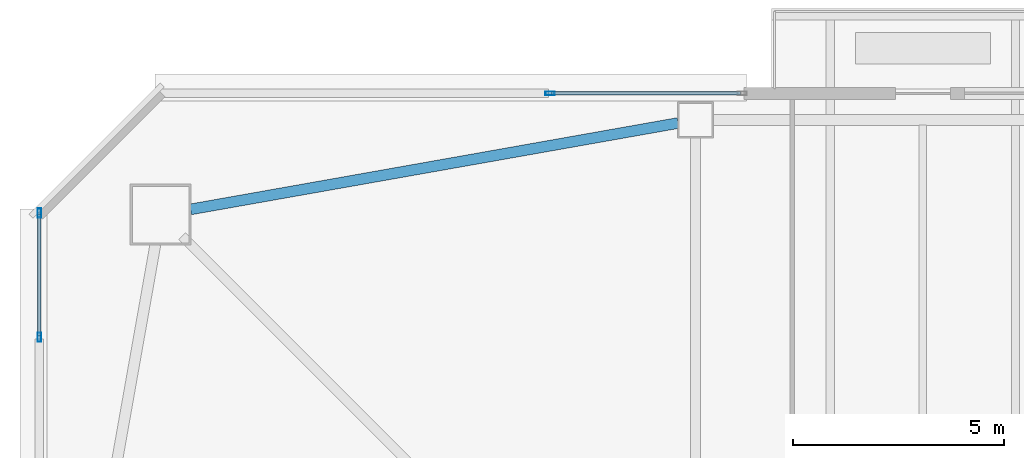
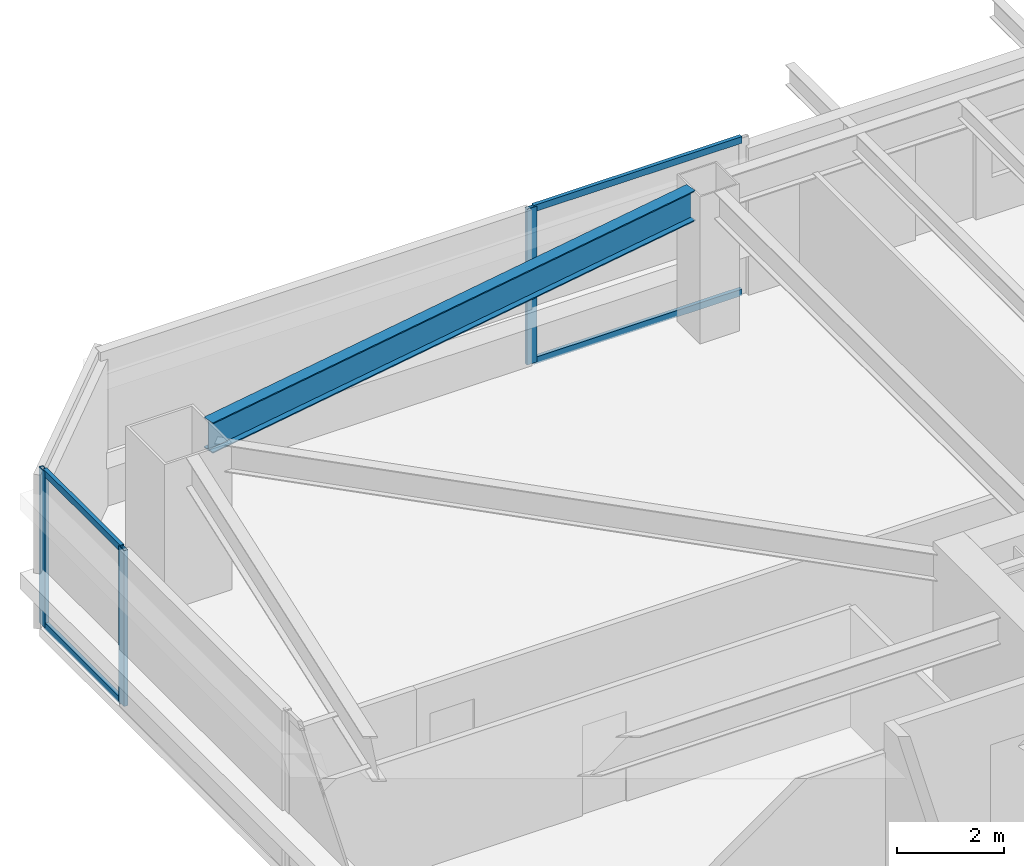
# One storey, part 14 of 48: 7 members, 1 beam, 2 elements without a shape of their own.
"""IFC4 building model written with IfcOpenShell, lengths in metres."""

from ifc_helpers import new_model, si_unit, direction, frame, origin, origin_2d, place, context, subcontext, project, spatial, hollow_rectangle, i_section, extrude, material, material_profile, profile_set, type_object, element, aggregate, save


model = new_model("IFC4")

# Units and contexts
model_context = context("Model", 3, precision=1e-05, world=origin(), true_north=direction((0.0, 1.0)))
body_context = subcontext(model_context, "Body", "Model", "MODEL_VIEW")
ifc_project = project(units=[si_unit("LENGTHUNIT", "METRE"), si_unit("AREAUNIT", "SQUARE_METRE"), si_unit("VOLUMEUNIT", "CUBIC_METRE"), si_unit("PLANEANGLEUNIT", "RADIAN"), si_unit("MASSUNIT", "GRAM", prefix="KILO")], contexts=[model_context])

# Site, building, storey
site_placement = place(None, origin())
site = spatial("IfcSite", under=ifc_project, at=site_placement, CompositionType="ELEMENT")
building_placement = place(site_placement, origin())
building = spatial("IfcBuilding", under=site, at=building_placement, Name="Tashvorn Skyway Center", CompositionType="ELEMENT")
storey_placement = place(building_placement, frame((0.0, 0.0, 77.85009765625)))
storey = spatial("IfcBuildingStorey", under=building, at=storey_placement, Name="L20", CompositionType="ELEMENT", Elevation=77.85009765625)

# Beam
ifc_material_1 = material(Name="Steel ASTM A992 Grade 50", Category="steel")
ifc_material_profile_1 = material_profile(ifc_material_1, i_section(OverallWidth=0.256103515625, OverallDepth=0.693115234375, WebThickness=0.014404296875, FlangeThickness=0.023681640625, at=origin_2d()), Name="W27X114")
ifc_profile_set_1 = profile_set([ifc_material_profile_1], Name="Steel ASTM A992 Grade 50")
beam_type = type_object("IfcBeamType", Name="BM-SPANDREL-W27X114", PredefinedType="SPANDREL", material=ifc_profile_set_1)
beam_placement = place(storey_placement, frame((36.1865234375, 52.276611328125, 3.00341796875), z_axis=(-0.98466816531, -0.174437966698, 0.0), x_axis=(0.174437966698, -0.98466816531, 0.0)))
element("IfcBeam", 1, at=beam_placement, inside=storey, type_object=beam_type, Name="Tower 1 L20 Spandrel Beam 09", PredefinedType="SPANDREL", context=body_context, shape_type="SweptSolid", body=[
    extrude(i_section(OverallWidth=0.256103515625, OverallDepth=0.693115234375, WebThickness=0.014404296875, FlangeThickness=0.023681640625, at=origin_2d()), origin(), (0.0, 0.0, 1.0), 11.7578125),
])

# Curtain wall, members
ifc_material_2 = material(Name="Thermally broken bronze-anodized aluminium 6063-T6", Category="aluminium")
curtain_wall_type = type_object("IfcCurtainWallType", Name="CW-CW-Z2", PredefinedType="NOTDEFINED", material=ifc_material_2)
curtain_wall_1_placement = place(storey_placement, origin())
curtain_wall_1 = element("IfcCurtainWall", 2, at=curtain_wall_1_placement, inside=storey, type_object=curtain_wall_type, Name="Tower 1 L20 West Unitised Curtain Wall Glazing Group 3", PredefinedType="NOTDEFINED")
ifc_material_profile_2 = material_profile(ifc_material_2, hollow_rectangle(XDim=0.080078125, YDim=0.219970703125, WallThickness=0.0048828125, at=origin_2d()), Name="ALU-MULL-80x220")
ifc_profile_set_2 = profile_set([ifc_material_profile_2], Name="Thermally broken bronze-anodized aluminium 6063-T6")
member_type_1 = type_object("IfcMemberType", Name="CWM-CW-Z2", PredefinedType="MULLION", material=ifc_profile_set_2)
member_1_placement = place(storey_placement, frame((21.02001953125, 47.18994140625, 0.0), z_axis=(0.0, 0.0, 1.0), x_axis=(-1.0, 0.0, 0.0)))
member_1 = element("IfcMember", 3, at=member_1_placement, type_object=member_type_1, Name="CW-Z2 mullion 1", PredefinedType="MULLION", context=body_context, shape_type="SweptSolid", body=[
    extrude(hollow_rectangle(XDim=0.080078125, YDim=0.219970703125, WallThickness=0.0048828125, at=origin_2d()), origin(), (0.0, 0.0, 1.0), 3.5498046875),
])
member_2_placement = place(storey_placement, frame((21.02001953125, 50.139892578125, 0.0), z_axis=(0.0, 0.0, 1.0), x_axis=(-1.0, 0.0, 0.0)))
member_2 = element("IfcMember", 4, at=member_2_placement, type_object=member_type_1, Name="CW-Z2 mullion 2", PredefinedType="MULLION", context=body_context, shape_type="SweptSolid", body=[
    extrude(hollow_rectangle(XDim=0.080078125, YDim=0.219970703125, WallThickness=0.0048828125, at=origin_2d()), origin(), (0.0, 0.0, 1.0), 3.5498046875),
])

# Curtain wall, member
curtain_wall_2_placement = place(storey_placement, origin())
curtain_wall_2 = element("IfcCurtainWall", 5, at=curtain_wall_2_placement, inside=storey, type_object=curtain_wall_type, Name="Tower 1 L20 North Curtain Wall L Glazing Group 1", PredefinedType="NOTDEFINED")
member_3_placement = place(storey_placement, frame((33.146728515625, 52.97998046875, 0.0), z_axis=(0.0, 0.0, 1.0), x_axis=(0.0, 1.0, 0.0)))
member_3 = element("IfcMember", 6, at=member_3_placement, type_object=member_type_1, Name="CW-Z2 mullion 1", PredefinedType="MULLION", context=body_context, shape_type="SweptSolid", body=[
    extrude(hollow_rectangle(XDim=0.080078125, YDim=0.219970703125, WallThickness=0.0048828125, at=origin_2d()), origin(), (0.0, 0.0, 1.0), 3.5498046875),
])

# Member
ifc_material_profile_3 = material_profile(ifc_material_2, hollow_rectangle(XDim=0.080078125, YDim=0.14990234375, WallThickness=0.00439453125, at=origin_2d()), Name="ALU-TRAN-80x150")
ifc_profile_set_3 = profile_set([ifc_material_profile_3], Name="Thermally broken bronze-anodized aluminium 6063-T6")
member_type_2 = type_object("IfcMemberType", Name="CWT-CW-Z2", PredefinedType="USERDEFINED", material=ifc_profile_set_3)
member_4_placement = place(storey_placement, frame((21.02001953125, 47.22998046875, 0.039794921875), z_axis=(0.0, 1.0, 0.0), x_axis=(-1.0, 0.0, 0.0)))
member_4 = element("IfcMember", 7, at=member_4_placement, type_object=member_type_2, Name="CW-Z2 transom 1.1", ObjectType="TRANSOM", PredefinedType="USERDEFINED", context=body_context, shape_type="SweptSolid", body=[
    extrude(hollow_rectangle(XDim=0.080078125, YDim=0.14990234375, WallThickness=0.00439453125, at=origin_2d()), origin(), (0.0, 0.0, 1.0), 2.8701171875),
])

member_5_placement = place(storey_placement, frame((21.02001953125, 47.22998046875, 3.510009765625), z_axis=(0.0, 1.0, 0.0), x_axis=(-1.0, 0.0, 0.0)))
member_5 = element("IfcMember", 8, at=member_5_placement, type_object=member_type_2, Name="CW-Z2 transom 1.2", ObjectType="TRANSOM", PredefinedType="USERDEFINED", context=body_context, shape_type="SweptSolid", body=[
    extrude(hollow_rectangle(XDim=0.080078125, YDim=0.14990234375, WallThickness=0.00439453125, at=origin_2d()), origin(), (0.0, 0.0, 1.0), 2.8701171875),
])

aggregate(curtain_wall_1, [member_1, member_2, member_4, member_5])

member_6_placement = place(storey_placement, frame((33.186767578125, 52.97998046875, 0.039794921875), z_axis=(1.0, 0.0, 0.0), x_axis=(0.0, 1.0, 0.0)))
member_6 = element("IfcMember", 9, at=member_6_placement, type_object=member_type_2, Name="CW-Z2 transom 1.1", ObjectType="TRANSOM", PredefinedType="USERDEFINED", context=body_context, shape_type="SweptSolid", body=[
    extrude(hollow_rectangle(XDim=0.080078125, YDim=0.14990234375, WallThickness=0.00439453125, at=origin_2d()), origin(), (0.0, 0.0, 1.0), 4.483154296875),
])

member_7_placement = place(storey_placement, frame((33.186767578125, 52.97998046875, 3.510009765625), z_axis=(1.0, 0.0, 0.0), x_axis=(0.0, 1.0, 0.0)))
member_7 = element("IfcMember", 10, at=member_7_placement, type_object=member_type_2, Name="CW-Z2 transom 1.2", ObjectType="TRANSOM", PredefinedType="USERDEFINED", context=body_context, shape_type="SweptSolid", body=[
    extrude(hollow_rectangle(XDim=0.080078125, YDim=0.14990234375, WallThickness=0.00439453125, at=origin_2d()), origin(), (0.0, 0.0, 1.0), 4.483154296875),
])

aggregate(curtain_wall_2, [member_3, member_6, member_7])

save(model, "model.ifc")
